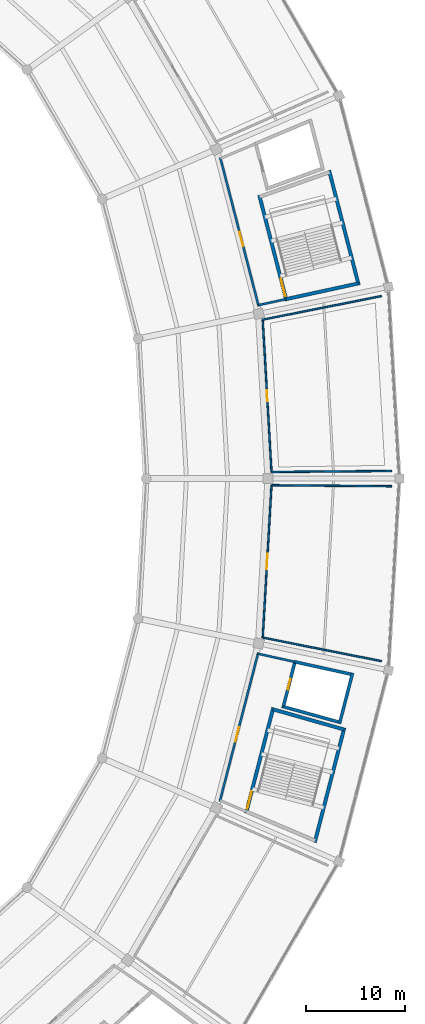
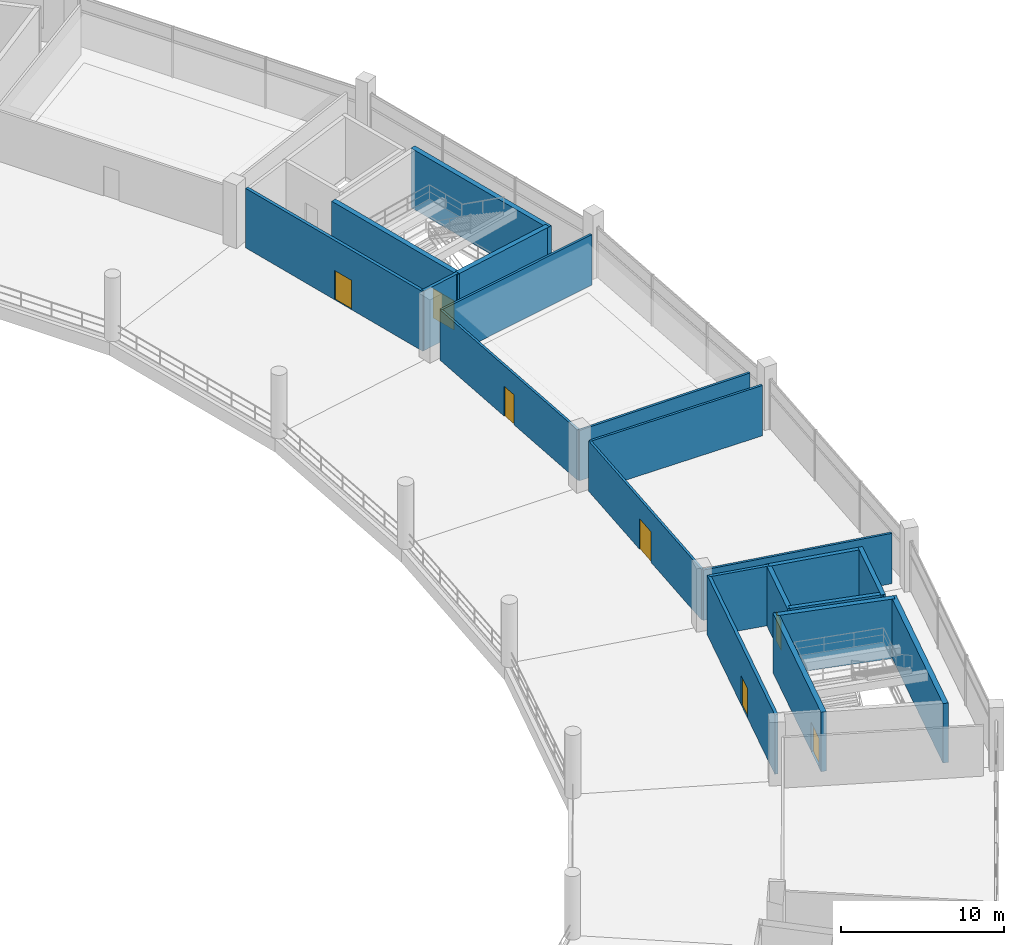
# One storey, part 134 of 171: 20 walls, 7 doors, 7 openings.
"""IFC4 building model written with IfcOpenShell, lengths in metres."""

from ifc_helpers import new_model, si_unit, direction, frame, frame_2d, origin, place, context, subcontext, project, spatial, rectangle, extrude, material, layer, layer_set, type_object, element, fill, save


model = new_model("IFC4")

# Units and contexts
model_context = context("Model", 3, precision=1e-05, world=origin(), true_north=direction((0.0, 1.0)))
body_context = subcontext(model_context, "Body", "Model", "MODEL_VIEW")
ifc_project = project(units=[si_unit("LENGTHUNIT", "METRE"), si_unit("AREAUNIT", "SQUARE_METRE"), si_unit("VOLUMEUNIT", "CUBIC_METRE"), si_unit("PLANEANGLEUNIT", "RADIAN"), si_unit("MASSUNIT", "GRAM", prefix="KILO")], contexts=[model_context])

# Site, building, storey
site_placement = place(None, origin())
site = spatial("IfcSite", under=ifc_project, at=site_placement, CompositionType="ELEMENT")
building_placement = place(site_placement, origin())
building = spatial("IfcBuilding", under=site, at=building_placement, Name="Kazemori Nagisa Stadium", CompositionType="ELEMENT")
storey_placement = place(building_placement, frame((0.0, 0.0, 15.639892578125)))
storey = spatial("IfcBuildingStorey", under=building, at=storey_placement, Name="L03", CompositionType="ELEMENT", Elevation=15.639892578125)

# Wall, opening, door
ifc_material_1 = material(Name="Concrete C40/50 (Fc42)", Category="concrete")
ifc_layer_1 = layer(ifc_material_1, 0.35009765625, Name="Concrete C40/50 (Fc42)", Category="concrete")
ifc_layer_set_1 = layer_set([ifc_layer_1], Name="Concrete C40/50 (Fc42)")
wall_type_1 = type_object("IfcWallType", Name="Wall_W-CORE-350", PredefinedType="SHEAR", material=ifc_layer_set_1)
wall_1_placement = place(storey_placement, frame((206.5625, 119.996337890625, 0.0), z_axis=(0.0, 0.0, 1.0), x_axis=(-0.249959564539, 0.968256276042, 0.0)))
wall_1 = element("IfcWall", 1, at=wall_1_placement, inside=storey, type_object=wall_type_1, Name="Core stair front shear wall ST07 L03", PredefinedType="SHEAR", context=body_context, shape_type="SweptSolid", body=[
    extrude(rectangle(XDim=11.046630859375, YDim=0.35009765625, at=frame_2d((5.5234375, 0.0))), origin(), (0.0, 0.0, 1.0), 4.460205078125),
])
opening_1_placement = place(wall_1_placement, frame((0.47509765625, 0.0, 0.0)))
opening_1 = element("IfcOpeningElement", 2, at=opening_1_placement, cuts=wall_1, Name="Opening D-ST-1800", PredefinedType="OPENING", context=body_context, shape_type="SweptSolid", body=[
    extrude(rectangle(XDim=1.800048828125, YDim=2.199951171875, at=frame_2d((0.89990234375, 1.10009765625))), frame((0.0, 0.18505859375, 0.0), z_axis=(0.0, -1.0, 0.0), x_axis=(1.0, 0.0, 0.0)), (0.0, 0.0, 1.0), 0.3701171875),
])
ifc_material_2 = material(Name="Galvanised steel sheet", Category="steel")
door_type_1 = type_object("IfcDoorType", Name="Door_D-ST-1800", OperationType="NOTDEFINED", PredefinedType="DOOR", material=ifc_material_2)
door_1_placement = place(opening_1_placement, frame((1.800048828125, 0.0, 0.0), z_axis=(0.0, 0.0, 1.0), x_axis=(-1.0, 0.0, 0.0)))
door_1 = element("IfcDoor", 3, at=door_1_placement, inside=storey, type_object=door_type_1, Name="Exit stair fire door ST07-L03", OperationType="SINGLE_SWING_LEFT", OverallHeight=2.199951171875, OverallWidth=1.800048828125, PredefinedType="DOOR", context=body_context, shape_type="SweptSolid", body=[
    extrude(rectangle(XDim=1.800048828125, YDim=2.199951171875, at=frame_2d((0.89990234375, 1.10009765625))), frame((0.0, 0.02490234375, 0.0), z_axis=(0.0, -1.0, 0.0), x_axis=(1.0, 0.0, 0.0)), (0.0, 0.0, 1.0), 0.050048828125),
])
fill(opening_1, door_1)

# Walls
wall_2_placement = place(storey_placement, frame((213.86572265625, 121.5849609375, 0.0), z_axis=(0.0, 0.0, 1.0), x_axis=(-0.249969221583, 0.968253782983, 0.0)))
element("IfcWall", 4, at=wall_2_placement, inside=storey, type_object=wall_type_1, Name="Core stair rear shear wall ST07 L03", PredefinedType="SHEAR", context=body_context, shape_type="SweptSolid", body=[
    extrude(rectangle(XDim=11.98193359375, YDim=0.35009765625, at=frame_2d((5.990966796875, 0.0))), origin(), (0.0, 0.0, 1.0), 4.460205078125),
])
wall_3_placement = place(storey_placement, frame((206.518798828125, 120.165771484375, 0.0), z_axis=(0.0, 0.0, 1.0), x_axis=(0.977149528138, 0.2125530514, 0.0)))
element("IfcWall", 5, at=wall_3_placement, inside=storey, type_object=wall_type_1, Name="Core stair left shear wall ST07 L03", PredefinedType="SHEAR", context=body_context, shape_type="SweptSolid", body=[
    extrude(rectangle(XDim=7.47412109375, YDim=0.35009765625, at=frame_2d((3.737060546875, 0.0))), origin(), (0.0, 0.0, 1.0), 4.460205078125),
])

# Wall, opening, door
wall_4_placement = place(storey_placement, frame((202.46435546875, 68.129150390625, 0.0), z_axis=(0.0, 0.0, 1.0), x_axis=(0.249959564539, 0.968256276042, 0.0)))
wall_4 = element("IfcWall", 6, at=wall_4_placement, inside=storey, type_object=wall_type_1, Name="Core stair front shear wall ST10 L03", PredefinedType="SHEAR", context=body_context, shape_type="SweptSolid", body=[
    extrude(rectangle(XDim=11.046630859375, YDim=0.35009765625, at=frame_2d((5.5234375, 0.0))), origin(), (0.0, 0.0, 1.0), 4.460205078125),
])
opening_2_placement = place(wall_4_placement, frame((0.47509765625, 0.0, 0.0)))
opening_2 = element("IfcOpeningElement", 7, at=opening_2_placement, cuts=wall_4, Name="Opening D-ST-1800", PredefinedType="OPENING", context=body_context, shape_type="SweptSolid", body=[
    extrude(rectangle(XDim=1.800048828125, YDim=2.199951171875, at=frame_2d((0.89990234375, 1.10009765625))), frame((0.0, 0.18505859375, 0.0), z_axis=(0.0, -1.0, 0.0), x_axis=(1.0, 0.0, 0.0)), (0.0, 0.0, 1.0), 0.3701171875),
])
door_2_placement = place(opening_2_placement, frame((1.800048828125, 0.0, 0.0), z_axis=(0.0, 0.0, 1.0), x_axis=(-1.0, 0.0, 0.0)))
door_2 = element("IfcDoor", 8, at=door_2_placement, inside=storey, type_object=door_type_1, Name="Exit stair fire door ST10-L03", OperationType="SINGLE_SWING_RIGHT", OverallHeight=2.199951171875, OverallWidth=1.800048828125, PredefinedType="DOOR", context=body_context, shape_type="SweptSolid", body=[
    extrude(rectangle(XDim=1.800048828125, YDim=2.199951171875, at=frame_2d((0.89990234375, 1.10009765625))), frame((0.0, 0.02490234375, 0.0), z_axis=(0.0, -1.0, 0.0), x_axis=(1.0, 0.0, 0.0)), (0.0, 0.0, 1.0), 0.050048828125),
])
fill(opening_2, door_2)

# Walls
wall_5_placement = place(storey_placement, frame((209.4169921875, 65.18212890625, 0.0), z_axis=(0.0, 0.0, 1.0), x_axis=(0.249969221583, 0.968253782983, 0.0)))
element("IfcWall", 9, at=wall_5_placement, inside=storey, type_object=wall_type_1, Name="Core stair rear shear wall ST10 L03", PredefinedType="SHEAR", context=body_context, shape_type="SweptSolid", body=[
    extrude(rectangle(XDim=11.98193359375, YDim=0.35009765625, at=frame_2d((5.990966796875, 0.0))), origin(), (0.0, 0.0, 1.0), 4.460205078125),
])
wall_6_placement = place(storey_placement, frame((205.181884765625, 78.655517578125, 0.0), z_axis=(0.0, 0.0, 1.0), x_axis=(0.961945802461, -0.273240321195, 0.0)))
element("IfcWall", 10, at=wall_6_placement, inside=storey, type_object=wall_type_1, Name="Core stair right shear wall ST10 L03", PredefinedType="SHEAR", context=body_context, shape_type="SweptSolid", body=[
    extrude(rectangle(XDim=7.470458984375, YDim=0.35009765625, at=frame_2d((3.7353515625, 0.0))), origin(), (0.0, 0.0, 1.0), 4.460205078125),
])

# Wall, opening, door
ifc_material_3 = material(Name="Concrete C36/45 (Fc36)", Category="concrete")
ifc_layer_2 = layer(ifc_material_3, 0.219970703125, Name="Concrete C36/45 (Fc36)", Category="concrete")
ifc_layer_set_2 = layer_set([ifc_layer_2], Name="Concrete C36/45 (Fc36)")
wall_type_2 = type_object("IfcWallType", Name="Wall_W-LOBBY-220", PredefinedType="SOLIDWALL", material=ifc_layer_set_2)
wall_7_placement = place(storey_placement, frame((203.7373046875, 119.448486328125, 0.0), z_axis=(0.0, 0.0, 1.0), x_axis=(-0.249963472505, 0.968255267176, 0.0)))
wall_7 = element("IfcWall", 11, at=wall_7_placement, inside=storey, type_object=wall_type_2, Name="Core lobby fire wall ST07 L03", PredefinedType="SOLIDWALL", context=body_context, shape_type="SweptSolid", body=[
    extrude(rectangle(XDim=15.552978515625, YDim=0.219970703125, at=frame_2d((7.7763671875, 0.0))), origin(), (0.0, 0.0, 1.0), 4.460205078125),
])
opening_3_placement = place(wall_7_placement, frame((6.260009765625, 0.0, 0.0)))
opening_3 = element("IfcOpeningElement", 12, at=opening_3_placement, cuts=wall_7, Name="Opening D-FFL-1500", PredefinedType="OPENING", context=body_context, shape_type="SweptSolid", body=[
    extrude(rectangle(XDim=1.5, YDim=2.199951171875, at=frame_2d((0.75, 1.10009765625))), frame((0.0, 0.119873046875, 0.0), z_axis=(0.0, -1.0, 0.0), x_axis=(1.0, 0.0, 0.0)), (0.0, 0.0, 1.0), 0.239990234375),
])
door_type_2 = type_object("IfcDoorType", Name="Door_D-FFL-1500", OperationType="NOTDEFINED", PredefinedType="DOOR", material=ifc_material_2)
door_3_placement = place(opening_3_placement, frame((1.5, 0.0, 0.0), z_axis=(0.0, 0.0, 1.0), x_axis=(-1.0, 0.0, 0.0)))
door_3 = element("IfcDoor", 13, at=door_3_placement, inside=storey, type_object=door_type_2, Name="Protected lobby fire door ST07-L03", OperationType="DOUBLE_DOOR_SINGLE_SWING", OverallHeight=2.199951171875, OverallWidth=1.5, PredefinedType="DOOR", context=body_context, shape_type="SweptSolid", body=[
    extrude(rectangle(XDim=1.5, YDim=2.199951171875, at=frame_2d((0.75, 1.10009765625))), frame((0.0, 0.02490234375, 0.0), z_axis=(0.0, -1.0, 0.0), x_axis=(1.0, 0.0, 0.0)), (0.0, 0.0, 1.0), 0.050048828125),
])
fill(opening_3, door_3)

# Wall
wall_8_placement = place(storey_placement, frame((203.7099609375, 119.554931640625, 0.0), z_axis=(0.0, 0.0, 1.0), x_axis=(0.977160263607, 0.212503692268, 0.0)))
element("IfcWall", 14, at=wall_8_placement, inside=storey, type_object=wall_type_2, Name="Core lobby left wall ST07 L03", PredefinedType="SOLIDWALL", context=body_context, shape_type="SweptSolid", body=[
    extrude(rectangle(XDim=2.87451171875, YDim=0.219970703125, at=frame_2d((1.437255859375, 0.0))), origin(), (0.0, 0.0, 1.0), 4.460205078125),
])

# Wall, opening, door
wall_9_placement = place(storey_placement, frame((199.806640625, 69.325439453125, 0.0), z_axis=(0.0, 0.0, 1.0), x_axis=(0.249963472505, 0.968255267176, 0.0)))
wall_9 = element("IfcWall", 15, at=wall_9_placement, inside=storey, type_object=wall_type_2, Name="Core lobby fire wall ST10 L03", PredefinedType="SOLIDWALL", context=body_context, shape_type="SweptSolid", body=[
    extrude(rectangle(XDim=15.552978515625, YDim=0.219970703125, at=frame_2d((7.7763671875, 0.0))), origin(), (0.0, 0.0, 1.0), 4.460205078125),
])
opening_4_placement = place(wall_9_placement, frame((6.260009765625, 0.0, 0.0)))
opening_4 = element("IfcOpeningElement", 16, at=opening_4_placement, cuts=wall_9, Name="Opening D-FFL-1500", PredefinedType="OPENING", context=body_context, shape_type="SweptSolid", body=[
    extrude(rectangle(XDim=1.5, YDim=2.199951171875, at=frame_2d((0.75, 1.10009765625))), frame((0.0, 0.119873046875, 0.0), z_axis=(0.0, -1.0, 0.0), x_axis=(1.0, 0.0, 0.0)), (0.0, 0.0, 1.0), 0.239990234375),
])
door_4_placement = place(opening_4_placement, frame((1.5, 0.0, 0.0), z_axis=(0.0, 0.0, 1.0), x_axis=(-1.0, 0.0, 0.0)))
door_4 = element("IfcDoor", 17, at=door_4_placement, inside=storey, type_object=door_type_2, Name="Protected lobby fire door ST10-L03", OperationType="DOUBLE_DOOR_SINGLE_SWING", OverallHeight=2.199951171875, OverallWidth=1.5, PredefinedType="DOOR", context=body_context, shape_type="SweptSolid", body=[
    extrude(rectangle(XDim=1.5, YDim=2.199951171875, at=frame_2d((0.75, 1.10009765625))), frame((0.0, 0.02490234375, 0.0), z_axis=(0.0, -1.0, 0.0), x_axis=(1.0, 0.0, 0.0)), (0.0, 0.0, 1.0), 0.050048828125),
])
fill(opening_4, door_4)

# Wall
wall_10_placement = place(storey_placement, frame((203.666748046875, 84.2783203125, 0.0), z_axis=(0.0, 0.0, 1.0), x_axis=(0.976714725209, -0.214542176645, 0.0)))
element("IfcWall", 18, at=wall_10_placement, inside=storey, type_object=wall_type_2, Name="Core lobby right wall ST10 L03", PredefinedType="SOLIDWALL", context=body_context, shape_type="SweptSolid", body=[
    extrude(rectangle(XDim=3.832763671875, YDim=0.219970703125, at=frame_2d((1.91650390625, 0.0))), origin(), (0.0, 0.0, 1.0), 4.460205078125),
])

# Wall, opening, door
ifc_material_4 = material(Name="Gypsum plasterboard", Category="gypsum")
ifc_layer_3 = layer(ifc_material_4, 0.1650390625, Name="Gypsum plasterboard", Category="gypsum")
ifc_layer_set_3 = layer_set([ifc_layer_3], Name="Gypsum plasterboard")
wall_type_3 = type_object("IfcWallType", Name="Wall_W-PART-165", PredefinedType="PARTITIONING", material=ifc_layer_set_3)
wall_11_placement = place(storey_placement, frame((205.041259765625, 102.67041015625, 0.0), z_axis=(0.0, 0.0, 1.0), x_axis=(-0.057603503798, 0.998339539611, 0.0)))
wall_11 = element("IfcWall", 19, at=wall_11_placement, inside=storey, type_object=wall_type_3, Name="Room corridor partition L03-B01", PredefinedType="PARTITIONING", context=body_context, shape_type="SweptSolid", body=[
    extrude(rectangle(XDim=15.4443359375, YDim=0.1650390625, at=frame_2d((7.72216796875, 0.0))), origin(), (0.0, 0.0, 1.0), 3.780029296875),
])
opening_5_placement = place(wall_11_placement, frame((7.172119140625, 0.0, 0.0)))
opening_5 = element("IfcOpeningElement", 20, at=opening_5_placement, cuts=wall_11, Name="Opening D-SUI-1100", PredefinedType="OPENING", context=body_context, shape_type="SweptSolid", body=[
    extrude(rectangle(XDim=1.10009765625, YDim=2.25, at=frame_2d((0.550048828125, 1.125))), frame((0.0, 0.092529296875, 0.0), z_axis=(0.0, -1.0, 0.0), x_axis=(1.0, 0.0, 0.0)), (0.0, 0.0, 1.0), 0.18505859375),
])
ifc_material_5 = material(Name="Oak timber veneer", Category="wood")
door_type_3 = type_object("IfcDoorType", Name="Door_D-SUI-1100", OperationType="NOTDEFINED", PredefinedType="DOOR", material=ifc_material_5)
door_5_placement = place(opening_5_placement, origin())
door_5 = element("IfcDoor", 21, at=door_5_placement, inside=storey, type_object=door_type_3, Name="Room entrance door D-SUI-1100 L03-B01", OperationType="SINGLE_SWING_LEFT", OverallHeight=2.25, OverallWidth=1.10009765625, PredefinedType="DOOR", context=body_context, shape_type="SweptSolid", body=[
    extrude(rectangle(XDim=1.10009765625, YDim=2.25, at=frame_2d((0.550048828125, 1.125))), frame((0.0, 0.02490234375, 0.0), z_axis=(0.0, -1.0, 0.0), x_axis=(1.0, 0.0, 0.0)), (0.0, 0.0, 1.0), 0.050048828125),
])
fill(opening_5, door_5)

# Walls
wall_12_placement = place(storey_placement, frame((205.041259765625, 102.67041015625, 0.0), z_axis=(0.0, 0.0, 1.0), x_axis=(0.999966583768, 0.008175044183, 0.0)))
element("IfcWall", 22, at=wall_12_placement, inside=storey, type_object=wall_type_3, Name="Room radial partition L03-B01-L", PredefinedType="PARTITIONING", context=body_context, shape_type="SweptSolid", body=[
    extrude(rectangle(XDim=12.15478515625, YDim=0.1650390625, at=frame_2d((6.077392578125, 0.0))), origin(), (0.0, 0.0, 1.0), 3.780029296875),
])
wall_13_placement = place(storey_placement, frame((204.151611328125, 118.089111328125, 0.0), z_axis=(0.0, 0.0, 1.0), x_axis=(0.980904167784, 0.194491680088, 0.0)))
element("IfcWall", 23, at=wall_13_placement, inside=storey, type_object=wall_type_3, Name="Room radial partition L03-B01-R", PredefinedType="PARTITIONING", context=body_context, shape_type="SweptSolid", body=[
    extrude(rectangle(XDim=12.256591796875, YDim=0.1650390625, at=frame_2d((6.12841796875, 0.0))), origin(), (0.0, 0.0, 1.0), 3.780029296875),
])

# Wall, opening, door
wall_14_placement = place(storey_placement, frame((204.151611328125, 85.910888671875, 0.0), z_axis=(0.0, 0.0, 1.0), x_axis=(0.057603503798, 0.998339539611, 0.0)))
wall_14 = element("IfcWall", 24, at=wall_14_placement, inside=storey, type_object=wall_type_3, Name="Room corridor partition L03-B28", PredefinedType="PARTITIONING", context=body_context, shape_type="SweptSolid", body=[
    extrude(rectangle(XDim=15.4443359375, YDim=0.1650390625, at=frame_2d((7.72216796875, 0.0))), origin(), (0.0, 0.0, 1.0), 3.780029296875),
])
opening_6_placement = place(wall_14_placement, frame((6.922119140625, 0.0, 0.0)))
opening_6 = element("IfcOpeningElement", 25, at=opening_6_placement, cuts=wall_14, Name="Opening D-LNG-1600", PredefinedType="OPENING", context=body_context, shape_type="SweptSolid", body=[
    extrude(rectangle(XDim=1.60009765625, YDim=2.300048828125, at=frame_2d((0.800048828125, 1.14990234375))), frame((0.0, 0.092529296875, 0.0), z_axis=(0.0, -1.0, 0.0), x_axis=(1.0, 0.0, 0.0)), (0.0, 0.0, 1.0), 0.18505859375),
])
ifc_material_6 = material(Name="Anodised aluminium 6063-T5", Category="aluminium")
door_type_4 = type_object("IfcDoorType", Name="Door_D-LNG-1600", OperationType="NOTDEFINED", PredefinedType="DOOR", material=ifc_material_6)
door_6_placement = place(opening_6_placement, origin())
door_6 = element("IfcDoor", 26, at=door_6_placement, inside=storey, type_object=door_type_4, Name="Room entrance door D-LNG-1600 L03-B28", OperationType="DOUBLE_DOOR_SINGLE_SWING", OverallHeight=2.300048828125, OverallWidth=1.60009765625, PredefinedType="DOOR", context=body_context, shape_type="SweptSolid", body=[
    extrude(rectangle(XDim=1.60009765625, YDim=2.300048828125, at=frame_2d((0.800048828125, 1.14990234375))), frame((0.0, 0.02490234375, 0.0), z_axis=(0.0, -1.0, 0.0), x_axis=(1.0, 0.0, 0.0)), (0.0, 0.0, 1.0), 0.050048828125),
])
fill(opening_6, door_6)

# Walls
wall_15_placement = place(storey_placement, frame((204.151611328125, 85.910888671875, 0.0), z_axis=(0.0, 0.0, 1.0), x_axis=(0.980904167784, -0.194491680088, 0.0)))
element("IfcWall", 27, at=wall_15_placement, inside=storey, type_object=wall_type_3, Name="Room radial partition L03-B28-L", PredefinedType="PARTITIONING", context=body_context, shape_type="SweptSolid", body=[
    extrude(rectangle(XDim=12.256591796875, YDim=0.1650390625, at=frame_2d((6.12841796875, 0.0))), origin(), (0.0, 0.0, 1.0), 3.780029296875),
])
wall_16_placement = place(storey_placement, frame((205.041259765625, 101.32958984375, 0.0), z_axis=(0.0, 0.0, 1.0), x_axis=(0.999966583768, -0.008175044183, 0.0)))
element("IfcWall", 28, at=wall_16_placement, inside=storey, type_object=wall_type_3, Name="Room radial partition L03-B28-R", PredefinedType="PARTITIONING", context=body_context, shape_type="SweptSolid", body=[
    extrude(rectangle(XDim=12.15478515625, YDim=0.1650390625, at=frame_2d((6.077392578125, 0.0))), origin(), (0.0, 0.0, 1.0), 3.780029296875),
])

# Wall, opening, door
ifc_layer_4 = layer(ifc_material_1, 0.300048828125, Name="Concrete C40/50 (Fc42)", Category="concrete")
ifc_layer_set_4 = layer_set([ifc_layer_4], Name="Concrete C40/50 (Fc42)")
wall_type_4 = type_object("IfcWallType", Name="Wall_W-SHAFT-300", PredefinedType="SHEAR", material=ifc_layer_set_4)
wall_17_placement = place(storey_placement, frame((206.200927734375, 78.772216796875, 0.0), z_axis=(0.0, 0.0, 1.0), x_axis=(0.249946120621, 0.968259746549, 0.0)))
wall_17 = element("IfcWall", 29, at=wall_17_placement, inside=storey, type_object=wall_type_4, Name="Lift shaft front wall LP8 L03", PredefinedType="SHEAR", context=body_context, shape_type="SweptSolid", body=[
    extrude(rectangle(XDim=4.9873046875, YDim=0.300048828125, at=frame_2d((2.49365234375, 0.0))), origin(), (0.0, 0.0, 1.0), 4.460205078125),
])
opening_7_placement = place(wall_17_placement, frame((1.944091796875, 0.0, 0.0)))
opening_7 = element("IfcOpeningElement", 30, at=opening_7_placement, cuts=wall_17, Name="Opening LD-PAX", PredefinedType="OPENING", context=body_context, shape_type="SweptSolid", body=[
    extrude(rectangle(XDim=1.10009765625, YDim=2.199951171875, at=frame_2d((0.550048828125, 1.10009765625))), frame((0.0, 0.159912109375, 0.0), z_axis=(0.0, -1.0, 0.0), x_axis=(1.0, 0.0, 0.0)), (0.0, 0.0, 1.0), 0.320068359375),
])
ifc_material_7 = material(Name="Stainless steel SUS304", Category="steel")
door_type_5 = type_object("IfcDoorType", Name="Door_LD-PAX", OperationType="SLIDING_TO_RIGHT", PredefinedType="DOOR", material=ifc_material_7)
door_7_placement = place(opening_7_placement, origin())
door_7 = element("IfcDoor", 31, at=door_7_placement, inside=storey, type_object=door_type_5, Name="Lift landing door LP8-L03", OperationType="SLIDING_TO_RIGHT", OverallHeight=2.199951171875, OverallWidth=1.10009765625, PredefinedType="DOOR", context=body_context, shape_type="SweptSolid", body=[
    extrude(rectangle(XDim=1.10009765625, YDim=2.199951171875, at=frame_2d((0.550048828125, 1.10009765625))), frame((0.0, 0.02490234375, 0.0), z_axis=(0.0, -1.0, 0.0), x_axis=(1.0, 0.0, 0.0)), (0.0, 0.0, 1.0), 0.050048828125),
])
fill(opening_7, door_7)

# Walls
wall_18_placement = place(storey_placement, frame((211.922607421875, 77.185791015625, 0.0), z_axis=(0.0, 0.0, 1.0), x_axis=(0.249918349381, 0.968266914979, 0.0)))
element("IfcWall", 32, at=wall_18_placement, inside=storey, type_object=wall_type_4, Name="Lift shaft B wall LP8 L03", PredefinedType="SHEAR", context=body_context, shape_type="SweptSolid", body=[
    extrude(rectangle(XDim=5.309326171875, YDim=0.300048828125, at=frame_2d((2.65478515625, 0.0))), origin(), (0.0, 0.0, 1.0), 4.460205078125),
])
wall_19_placement = place(storey_placement, frame((206.238525390625, 78.91748046875, 0.0), z_axis=(0.0, 0.0, 1.0), x_axis=(0.963642107639, -0.267196348002, 0.0)))
element("IfcWall", 33, at=wall_19_placement, inside=storey, type_object=wall_type_4, Name="Lift shaft L wall LP8 L03", PredefinedType="SHEAR", context=body_context, shape_type="SweptSolid", body=[
    extrude(rectangle(XDim=5.937255859375, YDim=0.300048828125, at=frame_2d((2.96875, 0.0))), origin(), (0.0, 0.0, 1.0), 4.460205078125),
])
wall_20_placement = place(storey_placement, frame((207.41015625, 83.4560546875, 0.0), z_axis=(0.0, 0.0, 1.0), x_axis=(0.976707381947, -0.214575604509, 0.0)))
element("IfcWall", 34, at=wall_20_placement, inside=storey, type_object=wall_type_4, Name="Lift shaft R wall LP8 L03", PredefinedType="SHEAR", context=body_context, shape_type="SweptSolid", body=[
    extrude(rectangle(XDim=5.9404296875, YDim=0.300048828125, at=frame_2d((2.97021484375, 0.0))), origin(), (0.0, 0.0, 1.0), 4.460205078125),
])

save(model, "model.ifc")
